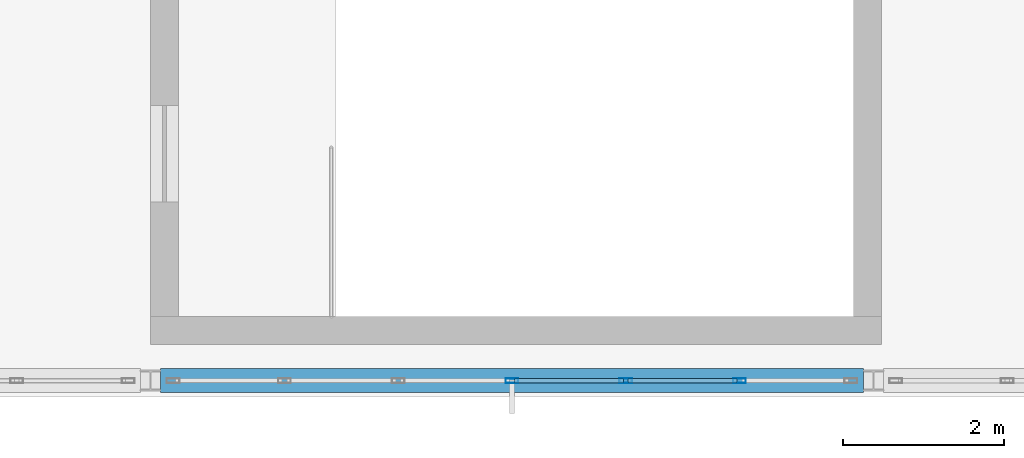
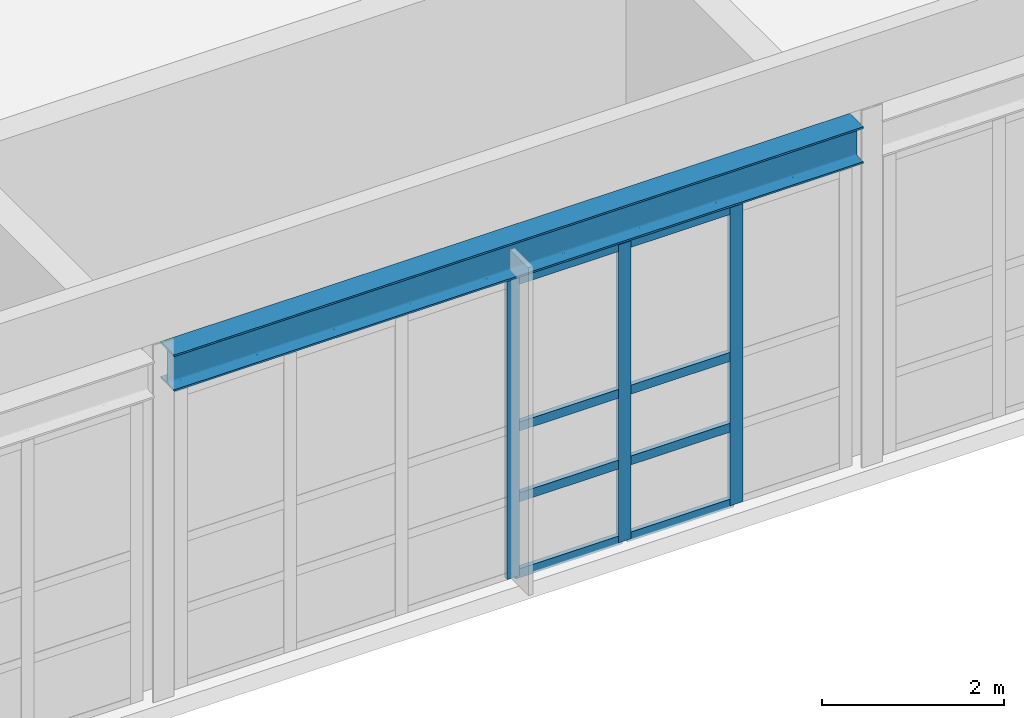
# One storey, part 15 of 38: 11 members, 1 beam, 1 element without a shape of its own.
"""IFC4 building model written with IfcOpenShell, lengths in metres."""

from ifc_helpers import new_model, si_unit, direction, frame, origin, origin_2d, place, context, subcontext, project, spatial, hollow_rectangle, i_section, extrude, material, material_profile, profile_set, type_object, element, aggregate, save


model = new_model("IFC4")

# Units and contexts
model_context = context("Model", 3, precision=1e-05, world=origin(), true_north=direction((0.0, 1.0)))
body_context = subcontext(model_context, "Body", "Model", "MODEL_VIEW")
ifc_project = project(units=[si_unit("LENGTHUNIT", "METRE"), si_unit("AREAUNIT", "SQUARE_METRE"), si_unit("VOLUMEUNIT", "CUBIC_METRE"), si_unit("PLANEANGLEUNIT", "RADIAN"), si_unit("MASSUNIT", "GRAM", prefix="KILO")], contexts=[model_context])

# Site, building, storey
site_placement = place(None, origin())
site = spatial("IfcSite", under=ifc_project, at=site_placement, CompositionType="ELEMENT")
building_placement = place(site_placement, origin())
building = spatial("IfcBuilding", under=site, at=building_placement, Name="Kaldris Quays Convention Centre", CompositionType="ELEMENT")
storey_placement = place(building_placement, frame((0.0, 0.0, 21.60009765625)))
storey = spatial("IfcBuildingStorey", under=building, at=storey_placement, Name="L04", CompositionType="ELEMENT", Elevation=21.60009765625)

# Curtain wall, members
ifc_material_1 = material(Name="Anodized aluminium AW-6060 and triple glazing", Category="aluminium")
curtain_wall_type = type_object("IfcCurtainWallType", Name="UNITISED CURTAIN WALL CW04", PredefinedType="NOTDEFINED", material=ifc_material_1)
curtain_wall_placement = place(storey_placement, origin())
curtain_wall = element("IfcCurtainWall", 1, at=curtain_wall_placement, inside=storey, type_object=curtain_wall_type, Name="L04 Unitised Curtain Wall CW04 133", PredefinedType="NOTDEFINED")
ifc_material_2 = material(Name="Anodized aluminium AW-6060", Category="aluminium")
ifc_material_profile_1 = material_profile(ifc_material_2, hollow_rectangle(XDim=0.06005859375, YDim=0.159912109375, WallThickness=0.00390625, at=origin_2d()), Name="RHS 160x60x4")
ifc_profile_set_1 = profile_set([ifc_material_profile_1], Name="Anodized aluminium AW-6060")
member_type_1 = type_object("IfcMemberType", Name="CURTAIN MULLION CWM1", PredefinedType="MULLION", material=ifc_profile_set_1)
member_1_placement = place(storey_placement, frame((132.5, 38.0, 0.0), z_axis=(0.0, 0.0, 1.0), x_axis=(0.0, 1.0, 0.0)))
member_1 = element("IfcMember", 2, at=member_1_placement, type_object=member_type_1, Name="CW04 mullion 4", PredefinedType="MULLION", context=body_context, shape_type="SweptSolid", body=[
    extrude(hollow_rectangle(XDim=0.06005859375, YDim=0.159912109375, WallThickness=0.00390625, at=origin_2d()), origin(), (0.0, 0.0, 1.0), 4.0),
])
member_2_placement = place(storey_placement, frame((133.916748046875, 38.0, 0.0), z_axis=(0.0, 0.0, 1.0), x_axis=(0.0, 1.0, 0.0)))
member_2 = element("IfcMember", 3, at=member_2_placement, type_object=member_type_1, Name="CW04 mullion 5", PredefinedType="MULLION", context=body_context, shape_type="SweptSolid", body=[
    extrude(hollow_rectangle(XDim=0.06005859375, YDim=0.159912109375, WallThickness=0.00390625, at=origin_2d()), origin(), (0.0, 0.0, 1.0), 4.0),
])
member_3_placement = place(storey_placement, frame((135.333251953125, 38.0, 0.0), z_axis=(0.0, 0.0, 1.0), x_axis=(0.0, 1.0, 0.0)))
member_3 = element("IfcMember", 4, at=member_3_placement, type_object=member_type_1, Name="CW04 mullion 6", PredefinedType="MULLION", context=body_context, shape_type="SweptSolid", body=[
    extrude(hollow_rectangle(XDim=0.06005859375, YDim=0.159912109375, WallThickness=0.00390625, at=origin_2d()), origin(), (0.0, 0.0, 1.0), 4.0),
])
ifc_material_profile_2 = material_profile(ifc_material_2, hollow_rectangle(XDim=0.06005859375, YDim=0.1201171875, WallThickness=0.00390625, at=origin_2d()), Name="RHS 120x60x4")
ifc_profile_set_2 = profile_set([ifc_material_profile_2], Name="Anodized aluminium AW-6060")
member_type_2 = type_object("IfcMemberType", Name="CURTAIN TRANSOM CWT1", PredefinedType="USERDEFINED", material=ifc_profile_set_2)
member_4_placement = place(storey_placement, frame((132.530029296875, 38.0, 0.02978515625), z_axis=(1.0, 0.0, 0.0), x_axis=(0.0, 1.0, 0.0)))
member_4 = element("IfcMember", 5, at=member_4_placement, type_object=member_type_2, Name="CW04 transom 4.1", ObjectType="TRANSOM", PredefinedType="USERDEFINED", context=body_context, shape_type="SweptSolid", body=[
    extrude(hollow_rectangle(XDim=0.06005859375, YDim=0.1201171875, WallThickness=0.00390625, at=origin_2d()), origin(), (0.0, 0.0, 1.0), 1.356689453125),
])
member_5_placement = place(storey_placement, frame((132.530029296875, 38.0, 1.0498046875), z_axis=(1.0, 0.0, 0.0), x_axis=(0.0, 1.0, 0.0)))
member_5 = element("IfcMember", 6, at=member_5_placement, type_object=member_type_2, Name="CW04 transom 4.2", ObjectType="TRANSOM", PredefinedType="USERDEFINED", context=body_context, shape_type="SweptSolid", body=[
    extrude(hollow_rectangle(XDim=0.06005859375, YDim=0.1201171875, WallThickness=0.00390625, at=origin_2d()), origin(), (0.0, 0.0, 1.0), 1.356689453125),
])
member_6_placement = place(storey_placement, frame((132.530029296875, 38.0, 2.0), z_axis=(1.0, 0.0, 0.0), x_axis=(0.0, 1.0, 0.0)))
member_6 = element("IfcMember", 7, at=member_6_placement, type_object=member_type_2, Name="CW04 transom 4.3", ObjectType="TRANSOM", PredefinedType="USERDEFINED", context=body_context, shape_type="SweptSolid", body=[
    extrude(hollow_rectangle(XDim=0.06005859375, YDim=0.1201171875, WallThickness=0.00390625, at=origin_2d()), origin(), (0.0, 0.0, 1.0), 1.356689453125),
])
member_7_placement = place(storey_placement, frame((132.530029296875, 38.0, 3.969970703125), z_axis=(1.0, 0.0, 0.0), x_axis=(0.0, 1.0, 0.0)))
member_7 = element("IfcMember", 8, at=member_7_placement, type_object=member_type_2, Name="CW04 transom 4.4", ObjectType="TRANSOM", PredefinedType="USERDEFINED", context=body_context, shape_type="SweptSolid", body=[
    extrude(hollow_rectangle(XDim=0.06005859375, YDim=0.1201171875, WallThickness=0.00390625, at=origin_2d()), origin(), (0.0, 0.0, 1.0), 1.356689453125),
])
member_8_placement = place(storey_placement, frame((133.94677734375, 38.0, 0.02978515625), z_axis=(1.0, 0.0, 0.0), x_axis=(0.0, 1.0, 0.0)))
member_8 = element("IfcMember", 9, at=member_8_placement, type_object=member_type_2, Name="CW04 transom 5.1", ObjectType="TRANSOM", PredefinedType="USERDEFINED", context=body_context, shape_type="SweptSolid", body=[
    extrude(hollow_rectangle(XDim=0.06005859375, YDim=0.1201171875, WallThickness=0.00390625, at=origin_2d()), origin(), (0.0, 0.0, 1.0), 1.3564453125),
])
member_9_placement = place(storey_placement, frame((133.94677734375, 38.0, 1.0498046875), z_axis=(1.0, 0.0, 0.0), x_axis=(0.0, 1.0, 0.0)))
member_9 = element("IfcMember", 10, at=member_9_placement, type_object=member_type_2, Name="CW04 transom 5.2", ObjectType="TRANSOM", PredefinedType="USERDEFINED", context=body_context, shape_type="SweptSolid", body=[
    extrude(hollow_rectangle(XDim=0.06005859375, YDim=0.1201171875, WallThickness=0.00390625, at=origin_2d()), origin(), (0.0, 0.0, 1.0), 1.3564453125),
])
member_10_placement = place(storey_placement, frame((133.94677734375, 38.0, 2.0), z_axis=(1.0, 0.0, 0.0), x_axis=(0.0, 1.0, 0.0)))
member_10 = element("IfcMember", 11, at=member_10_placement, type_object=member_type_2, Name="CW04 transom 5.3", ObjectType="TRANSOM", PredefinedType="USERDEFINED", context=body_context, shape_type="SweptSolid", body=[
    extrude(hollow_rectangle(XDim=0.06005859375, YDim=0.1201171875, WallThickness=0.00390625, at=origin_2d()), origin(), (0.0, 0.0, 1.0), 1.3564453125),
])
member_11_placement = place(storey_placement, frame((133.94677734375, 38.0, 3.969970703125), z_axis=(1.0, 0.0, 0.0), x_axis=(0.0, 1.0, 0.0)))
member_11 = element("IfcMember", 12, at=member_11_placement, type_object=member_type_2, Name="CW04 transom 5.4", ObjectType="TRANSOM", PredefinedType="USERDEFINED", context=body_context, shape_type="SweptSolid", body=[
    extrude(hollow_rectangle(XDim=0.06005859375, YDim=0.1201171875, WallThickness=0.00390625, at=origin_2d()), origin(), (0.0, 0.0, 1.0), 1.3564453125),
])
aggregate(curtain_wall, [member_1, member_2, member_3, member_4, member_5, member_6, member_7, member_8, member_9, member_10, member_11])

# Beam
ifc_material_3 = material(Name="Steel S355J2", Category="steel")
ifc_material_profile_3 = material_profile(ifc_material_3, i_section(OverallWidth=0.300048828125, OverallDepth=0.489990234375, WebThickness=0.011962890625, FlangeThickness=0.02294921875, FilletRadius=0.027099609375, at=origin_2d()), Name="HEA 500")
ifc_profile_set_3 = profile_set([ifc_material_profile_3], Name="Steel S355J2")
beam_type = type_object("IfcBeamType", Name="STRUCTURAL BEAM BM09", PredefinedType="BEAM", material=ifc_profile_set_3)
beam_placement = place(storey_placement, frame((128.1240234375, 38.0, 4.347900390625), z_axis=(1.0, 0.0, 0.0), x_axis=(0.0, 1.0, 0.0)))
element("IfcBeam", 13, at=beam_placement, inside=storey, type_object=beam_type, Name="L04 Girder BM09 5", PredefinedType="BEAM", context=body_context, shape_type="SweptSolid", body=[
    extrude(i_section(OverallWidth=0.300048828125, OverallDepth=0.489990234375, WebThickness=0.011962890625, FlangeThickness=0.02294921875, FilletRadius=0.027099609375, at=origin_2d()), origin(), (0.0, 0.0, 1.0), 8.751953125),
])

save(model, "model.ifc")
